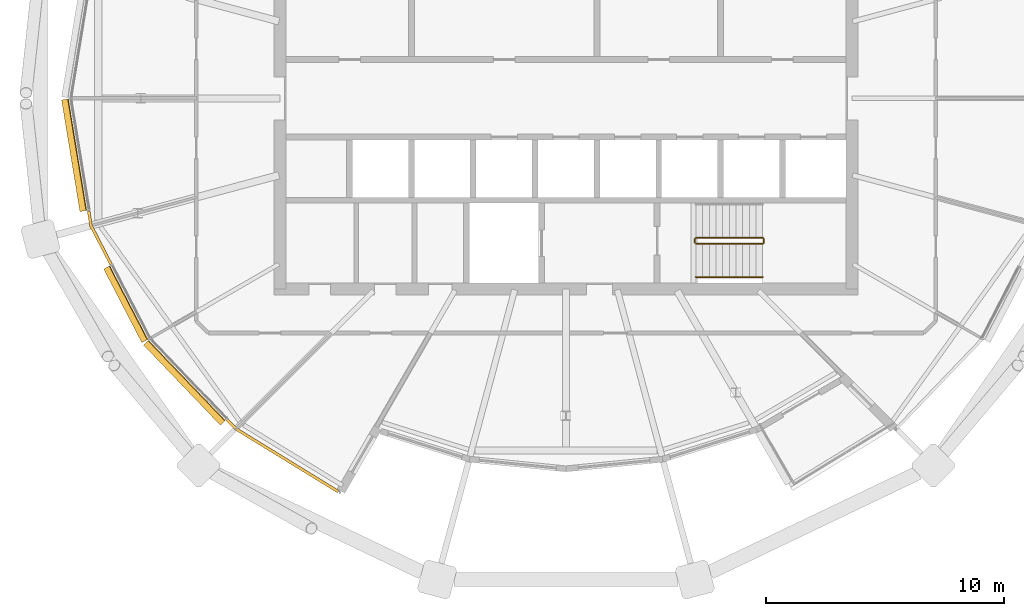
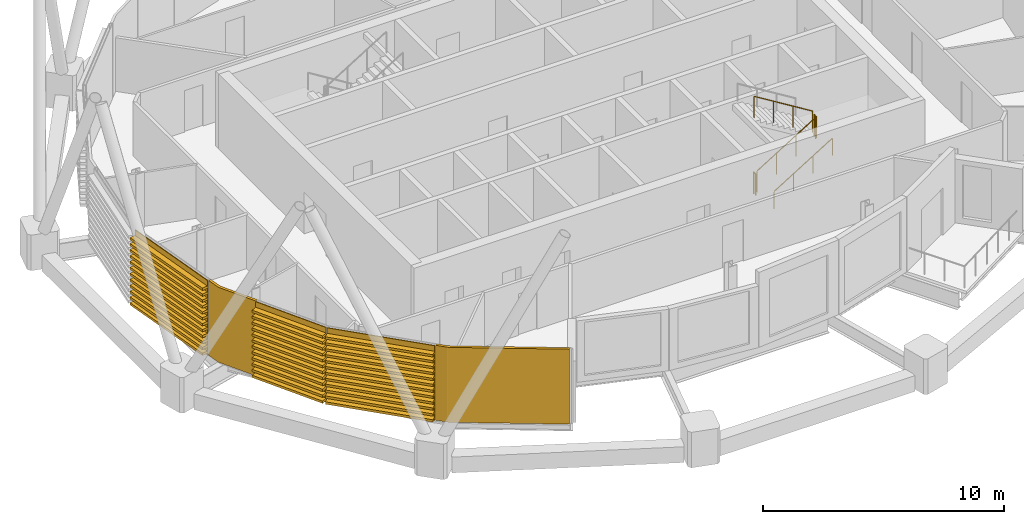
# One storey, part 28 of 34: 5 coverings, 5 railings.
"""IFC4 building model written with IfcOpenShell, lengths in metres."""

from ifc_helpers import new_model, si_unit, direction, frame, origin, origin_2d, place, context, subcontext, project, spatial, polyline, circle, outline, extrude, material, layer, layer_set, material_profile, profile_set, type_object, element, save


model = new_model("IFC4")

# Units and contexts
model_context = context("Model", 3, precision=1e-05, world=origin(), true_north=direction((0.0, 1.0)))
body_context = subcontext(model_context, "Body", "Model", "MODEL_VIEW")
ifc_project = project(units=[si_unit("LENGTHUNIT", "METRE"), si_unit("AREAUNIT", "SQUARE_METRE"), si_unit("VOLUMEUNIT", "CUBIC_METRE"), si_unit("PLANEANGLEUNIT", "RADIAN"), si_unit("MASSUNIT", "GRAM", prefix="KILO")], contexts=[model_context])

# Site, building, storey
site_placement = place(None, origin())
site = spatial("IfcSite", under=ifc_project, at=site_placement, CompositionType="ELEMENT")
building_placement = place(site_placement, origin())
building = spatial("IfcBuilding", under=site, at=building_placement, Name="Rimbun Link Towers", CompositionType="ELEMENT")
storey_placement = place(building_placement, frame((0.0, 0.0, 221.89990234375)))
storey = spatial("IfcBuildingStorey", under=building, at=storey_placement, Name="L54", CompositionType="ELEMENT", Elevation=221.89990234375)

# Coverings
ifc_material_1 = material(Name="Terracotta", Category="masonry")
ifc_layer = layer(ifc_material_1, 0.1201171875)
ifc_layer_set = layer_set([ifc_layer], Name="LINK PIER terracotta cladding 120")
covering_type_1 = type_object("IfcCoveringType", Name="LINK PIER terracotta cladding 120", PredefinedType="CLADDING", material=ifc_layer_set)
covering_1_placement = place(storey_placement, origin())
element("IfcCovering", 1, at=covering_1_placement, inside=storey, type_object=covering_type_1, Name="LINK PIER cladding", PredefinedType="CLADDING", context=body_context, shape_type="SweptSolid", body=[
    extrude(outline(polyline([(-50.781005859375, -6.93994140625), (-51.6171875, -5.323486328125), (-51.718017578125, -4.711669921875), (-51.83642578125, -4.731201171875), (-51.732666015625, -5.361572265625), (-50.887451171875, -6.994873046875), (-50.781005859375, -6.93994140625)])), origin(), (0.0, 0.0, 1.0), 3.800048828125),
])
covering_2_placement = place(storey_placement, origin())
element("IfcCovering", 2, at=covering_2_placement, inside=storey, type_object=covering_type_1, Name="LINK PIER cladding", PredefinedType="CLADDING", context=body_context, shape_type="SweptSolid", body=[
    extrude(outline(polyline([(-41.27978515625, -16.446044921875), (-45.56494140625, -13.81494140625), (-45.9248046875, -13.439697265625), (-46.011474609375, -13.522705078125), (-45.640869140625, -13.9091796875), (-41.342529296875, -16.54833984375), (-41.27978515625, -16.446044921875)])), origin(), (0.0, 0.0, 1.0), 3.800048828125),
])

# Railings
ifc_material_2 = material(Name="Stainless steel grade 316", Category="steel")
railing_type_1 = type_object("IfcRailingType", Name="Stair guard", PredefinedType="GUARDRAIL", material=ifc_material_2)
railing_1_placement = place(storey_placement, frame((-26.300048828125, -6.10009765625, 0.1728515625)))
element("IfcRailing", 3, at=railing_1_placement, inside=storey, type_object=railing_type_1, Name="L54 ST2 stair guard 1", PredefinedType="GUARDRAIL", context=body_context, shape_type="SweptSolid", body=[
    extrude(circle(Radius=0.02392578125, at=origin_2d()), frame((0.0, 0.0, 1.076171875), z_axis=(0.851089632645, 0.0, 0.525020415988), x_axis=(0.0, 1.0, 0.0)), (0.0, 0.0, 1.0), 3.2900390625),
    extrude(circle(Radius=0.02099609375, at=origin_2d()), origin(), (0.0, 0.0, 1.0), 1.052001953125),
    extrude(circle(Radius=0.02099609375, at=origin_2d()), frame((0.933349609375, 0.0, 0.57568359375)), (0.0, 0.0, 1.0), 1.052001953125),
    extrude(circle(Radius=0.02099609375, at=origin_2d()), frame((1.86669921875, 0.0, 1.151611328125)), (0.0, 0.0, 1.0), 1.052001953125),
    extrude(circle(Radius=0.02099609375, at=origin_2d()), frame((2.800048828125, 0.0, 1.727294921875)), (0.0, 0.0, 1.0), 1.052001953125),
])
railing_2_placement = place(storey_placement, frame((-23.449951171875, -6.050048828125, 1.900146484375)))
element("IfcRailing", 4, at=railing_2_placement, inside=storey, type_object=railing_type_1, Name="L54 ST2 stair guard 2", PredefinedType="GUARDRAIL", context=body_context, shape_type="SweptSolid", body=[
    extrude(circle(Radius=0.02392578125, at=origin_2d()), frame((0.0, 0.0, 1.076171875), z_axis=(0.0, 1.0, 0.0), x_axis=(-1.0, 0.0, 0.0)), (0.0, 0.0, 1.0), 0.150146484375),
    extrude(circle(Radius=0.02099609375, at=origin_2d()), origin(), (0.0, 0.0, 1.0), 1.052001953125),
    extrude(circle(Radius=0.02099609375, at=origin_2d()), frame((0.0, 0.150146484375, 0.0)), (0.0, 0.0, 1.0), 1.052001953125),
])
railing_3_placement = place(storey_placement, frame((-23.5, -5.85009765625, 2.07275390625)))
element("IfcRailing", 5, at=railing_3_placement, inside=storey, type_object=railing_type_1, Name="L54 ST2 stair guard 3", PredefinedType="GUARDRAIL", context=body_context, shape_type="SweptSolid", body=[
    extrude(circle(Radius=0.02392578125, at=origin_2d()), frame((0.0, 0.0, 1.076171875), z_axis=(-0.851089632645, 0.0, 0.525020415988), x_axis=(0.0, -1.0, 0.0)), (0.0, 0.0, 1.0), 3.2900390625),
    extrude(circle(Radius=0.02099609375, at=origin_2d()), origin(), (0.0, 0.0, 1.0), 1.052001953125),
    extrude(circle(Radius=0.02099609375, at=origin_2d()), frame((-0.933349609375, 0.0, 0.57568359375)), (0.0, 0.0, 1.0), 1.052001953125),
    extrude(circle(Radius=0.02099609375, at=origin_2d()), frame((-1.86669921875, 0.0, 1.151611328125)), (0.0, 0.0, 1.0), 1.052001953125),
    extrude(circle(Radius=0.02099609375, at=origin_2d()), frame((-2.800048828125, 0.0, 1.727294921875)), (0.0, 0.0, 1.0), 1.052001953125),
])
railing_4_placement = place(storey_placement, frame((-26.35009765625, -6.050048828125, 0.0)))
element("IfcRailing", 6, at=railing_4_placement, inside=storey, type_object=railing_type_1, Name="L54 ST2 stair guard 4", PredefinedType="GUARDRAIL", context=body_context, shape_type="SweptSolid", body=[
    extrude(circle(Radius=0.02392578125, at=origin_2d()), frame((0.0, 0.0, 1.076171875), z_axis=(0.0, 1.0, 0.0), x_axis=(-1.0, 0.0, 0.0)), (0.0, 0.0, 1.0), 0.150146484375),
    extrude(circle(Radius=0.02099609375, at=origin_2d()), origin(), (0.0, 0.0, 1.0), 1.052001953125),
    extrude(circle(Radius=0.02099609375, at=origin_2d()), frame((0.0, 0.150146484375, 0.0)), (0.0, 0.0, 1.0), 1.052001953125),
])
ifc_material_3 = material(Name="Stainless steel grade 316", Category="steel")
railing_type_2 = type_object("IfcRailingType", Name="Stair handrail", PredefinedType="HANDRAIL", material=ifc_material_3)
railing_5_placement = place(storey_placement, frame((-26.300048828125, -7.5, 0.1728515625)))
element("IfcRailing", 7, at=railing_5_placement, inside=storey, type_object=railing_type_2, Name="L54 ST2 stair handrail 1", PredefinedType="HANDRAIL", context=body_context, shape_type="SweptSolid", body=[
    extrude(circle(Radius=0.02392578125, at=origin_2d()), frame((0.0, 0.0, 0.8759765625), z_axis=(0.851089632645, 0.0, 0.525020415988), x_axis=(0.0, 1.0, 0.0)), (0.0, 0.0, 1.0), 3.2900390625),
    extrude(circle(Radius=0.02099609375, at=origin_2d()), origin(), (0.0, 0.0, 1.0), 0.851806640625),
    extrude(circle(Radius=0.02099609375, at=origin_2d()), frame((0.933349609375, 0.0, 0.57568359375)), (0.0, 0.0, 1.0), 0.851806640625),
    extrude(circle(Radius=0.02099609375, at=origin_2d()), frame((1.86669921875, 0.0, 1.151611328125)), (0.0, 0.0, 1.0), 0.851806640625),
    extrude(circle(Radius=0.02099609375, at=origin_2d()), frame((2.800048828125, 0.0, 1.727294921875)), (0.0, 0.0, 1.0), 0.851806640625),
])

# Coverings
ifc_material_4 = material(Name="Terracotta", Category="masonry")
ifc_material_profile = material_profile(ifc_material_4, outline(polyline([(0.123046875, 0.0), (0.1630859375, 0.0), (0.1630859375, 0.10009765625), (0.423095703125, 0.10009765625), (0.423095703125, 0.219970703125), (0.1630859375, 0.219970703125), (0.1630859375, 0.39990234375), (0.423095703125, 0.39990234375), (0.423095703125, 0.52001953125), (0.1630859375, 0.52001953125), (0.1630859375, 0.699951171875), (0.423095703125, 0.699951171875), (0.423095703125, 0.820068359375), (0.1630859375, 0.820068359375), (0.1630859375, 1.0), (0.423095703125, 1.0), (0.423095703125, 1.1201171875), (0.1630859375, 1.1201171875), (0.1630859375, 1.300048828125), (0.423095703125, 1.300048828125), (0.423095703125, 1.419921875), (0.1630859375, 1.419921875), (0.1630859375, 1.60009765625), (0.423095703125, 1.60009765625), (0.423095703125, 1.719970703125), (0.1630859375, 1.719970703125), (0.1630859375, 1.89990234375), (0.423095703125, 1.89990234375), (0.423095703125, 2.02001953125), (0.1630859375, 2.02001953125), (0.1630859375, 2.199951171875), (0.423095703125, 2.199951171875), (0.423095703125, 2.320068359375), (0.1630859375, 2.320068359375), (0.1630859375, 2.5), (0.423095703125, 2.5), (0.423095703125, 2.6201171875), (0.1630859375, 2.6201171875), (0.1630859375, 2.800048828125), (0.423095703125, 2.800048828125), (0.423095703125, 2.919921875), (0.1630859375, 2.919921875), (0.1630859375, 3.10009765625), (0.423095703125, 3.10009765625), (0.423095703125, 3.219970703125), (0.1630859375, 3.219970703125), (0.1630859375, 3.39990234375), (0.423095703125, 3.39990234375), (0.423095703125, 3.52001953125), (0.1630859375, 3.52001953125), (0.1630859375, 3.800048828125), (0.123046875, 3.800048828125), (0.123046875, 0.0)])), Name="BAGUETTE 120X300")
ifc_profile_set = profile_set([ifc_material_profile], Name="Terracotta")
covering_type_2 = type_object("IfcCoveringType", Name="TERRACOTTA BAGUETTE 120X300 H3800", PredefinedType="CLADDING", material=ifc_profile_set)
covering_3_placement = place(storey_placement, frame((-51.72265625, -4.68212890625, 0.0), z_axis=(-0.16227934514, 0.986744857671, 0.0), x_axis=(-0.986744857671, -0.16227934514, 0.0)))
element("IfcCovering", 8, at=covering_3_placement, inside=storey, type_object=covering_type_2, Name="TERRACOTTA BAGUETTE", PredefinedType="CLADDING", context=body_context, shape_type="SweptSolid", body=[
    extrude(outline(polyline([(0.123046875, 0.0), (0.1630859375, 0.0), (0.1630859375, 0.10009765625), (0.423095703125, 0.10009765625), (0.423095703125, 0.219970703125), (0.1630859375, 0.219970703125), (0.1630859375, 0.39990234375), (0.423095703125, 0.39990234375), (0.423095703125, 0.52001953125), (0.1630859375, 0.52001953125), (0.1630859375, 0.699951171875), (0.423095703125, 0.699951171875), (0.423095703125, 0.820068359375), (0.1630859375, 0.820068359375), (0.1630859375, 1.0), (0.423095703125, 1.0), (0.423095703125, 1.1201171875), (0.1630859375, 1.1201171875), (0.1630859375, 1.300048828125), (0.423095703125, 1.300048828125), (0.423095703125, 1.419921875), (0.1630859375, 1.419921875), (0.1630859375, 1.60009765625), (0.423095703125, 1.60009765625), (0.423095703125, 1.719970703125), (0.1630859375, 1.719970703125), (0.1630859375, 1.89990234375), (0.423095703125, 1.89990234375), (0.423095703125, 2.02001953125), (0.1630859375, 2.02001953125), (0.1630859375, 2.199951171875), (0.423095703125, 2.199951171875), (0.423095703125, 2.320068359375), (0.1630859375, 2.320068359375), (0.1630859375, 2.5), (0.423095703125, 2.5), (0.423095703125, 2.6201171875), (0.1630859375, 2.6201171875), (0.1630859375, 2.800048828125), (0.423095703125, 2.800048828125), (0.423095703125, 2.919921875), (0.1630859375, 2.919921875), (0.1630859375, 3.10009765625), (0.423095703125, 3.10009765625), (0.423095703125, 3.219970703125), (0.1630859375, 3.219970703125), (0.1630859375, 3.39990234375), (0.423095703125, 3.39990234375), (0.423095703125, 3.52001953125), (0.1630859375, 3.52001953125), (0.1630859375, 3.800048828125), (0.123046875, 3.800048828125), (0.123046875, 0.0)])), origin(), (0.0, 0.0, 1.0), 4.7451171875),
])
covering_4_placement = place(storey_placement, frame((-49.168212890625, -10.056396484375, 0.0), z_axis=(-0.459577547562, 0.888137645738, 0.0), x_axis=(-0.888137645738, -0.459577547562, 0.0)))
element("IfcCovering", 9, at=covering_4_placement, inside=storey, type_object=covering_type_2, Name="TERRACOTTA BAGUETTE", PredefinedType="CLADDING", context=body_context, shape_type="SweptSolid", body=[
    extrude(outline(polyline([(0.123046875, 0.0), (0.1630859375, 0.0), (0.1630859375, 0.10009765625), (0.423095703125, 0.10009765625), (0.423095703125, 0.219970703125), (0.1630859375, 0.219970703125), (0.1630859375, 0.39990234375), (0.423095703125, 0.39990234375), (0.423095703125, 0.52001953125), (0.1630859375, 0.52001953125), (0.1630859375, 0.699951171875), (0.423095703125, 0.699951171875), (0.423095703125, 0.820068359375), (0.1630859375, 0.820068359375), (0.1630859375, 1.0), (0.423095703125, 1.0), (0.423095703125, 1.1201171875), (0.1630859375, 1.1201171875), (0.1630859375, 1.300048828125), (0.423095703125, 1.300048828125), (0.423095703125, 1.419921875), (0.1630859375, 1.419921875), (0.1630859375, 1.60009765625), (0.423095703125, 1.60009765625), (0.423095703125, 1.719970703125), (0.1630859375, 1.719970703125), (0.1630859375, 1.89990234375), (0.423095703125, 1.89990234375), (0.423095703125, 2.02001953125), (0.1630859375, 2.02001953125), (0.1630859375, 2.199951171875), (0.423095703125, 2.199951171875), (0.423095703125, 2.320068359375), (0.1630859375, 2.320068359375), (0.1630859375, 2.5), (0.423095703125, 2.5), (0.423095703125, 2.6201171875), (0.1630859375, 2.6201171875), (0.1630859375, 2.800048828125), (0.423095703125, 2.800048828125), (0.423095703125, 2.919921875), (0.1630859375, 2.919921875), (0.1630859375, 3.10009765625), (0.423095703125, 3.10009765625), (0.423095703125, 3.219970703125), (0.1630859375, 3.219970703125), (0.1630859375, 3.39990234375), (0.423095703125, 3.39990234375), (0.423095703125, 3.52001953125), (0.1630859375, 3.52001953125), (0.1630859375, 3.800048828125), (0.123046875, 3.800048828125), (0.123046875, 0.0)])), origin(), (0.0, 0.0, 1.0), 3.47900390625),
])
covering_5_placement = place(storey_placement, frame((-45.945556640625, -13.41796875, 0.0), z_axis=(-0.692034023321, 0.721864883871, 0.0), x_axis=(-0.721864883871, -0.692034023321, 0.0)))
element("IfcCovering", 10, at=covering_5_placement, inside=storey, type_object=covering_type_2, Name="TERRACOTTA BAGUETTE", PredefinedType="CLADDING", context=body_context, shape_type="SweptSolid", body=[
    extrude(outline(polyline([(0.123046875, 0.0), (0.1630859375, 0.0), (0.1630859375, 0.10009765625), (0.423095703125, 0.10009765625), (0.423095703125, 0.219970703125), (0.1630859375, 0.219970703125), (0.1630859375, 0.39990234375), (0.423095703125, 0.39990234375), (0.423095703125, 0.52001953125), (0.1630859375, 0.52001953125), (0.1630859375, 0.699951171875), (0.423095703125, 0.699951171875), (0.423095703125, 0.820068359375), (0.1630859375, 0.820068359375), (0.1630859375, 1.0), (0.423095703125, 1.0), (0.423095703125, 1.1201171875), (0.1630859375, 1.1201171875), (0.1630859375, 1.300048828125), (0.423095703125, 1.300048828125), (0.423095703125, 1.419921875), (0.1630859375, 1.419921875), (0.1630859375, 1.60009765625), (0.423095703125, 1.60009765625), (0.423095703125, 1.719970703125), (0.1630859375, 1.719970703125), (0.1630859375, 1.89990234375), (0.423095703125, 1.89990234375), (0.423095703125, 2.02001953125), (0.1630859375, 2.02001953125), (0.1630859375, 2.199951171875), (0.423095703125, 2.199951171875), (0.423095703125, 2.320068359375), (0.1630859375, 2.320068359375), (0.1630859375, 2.5), (0.423095703125, 2.5), (0.423095703125, 2.6201171875), (0.1630859375, 2.6201171875), (0.1630859375, 2.800048828125), (0.423095703125, 2.800048828125), (0.423095703125, 2.919921875), (0.1630859375, 2.919921875), (0.1630859375, 3.10009765625), (0.423095703125, 3.10009765625), (0.423095703125, 3.219970703125), (0.1630859375, 3.219970703125), (0.1630859375, 3.39990234375), (0.423095703125, 3.39990234375), (0.423095703125, 3.52001953125), (0.1630859375, 3.52001953125), (0.1630859375, 3.800048828125), (0.123046875, 3.800048828125), (0.123046875, 0.0)])), origin(), (0.0, 0.0, 1.0), 4.65673828125),
])

save(model, "model.ifc")
